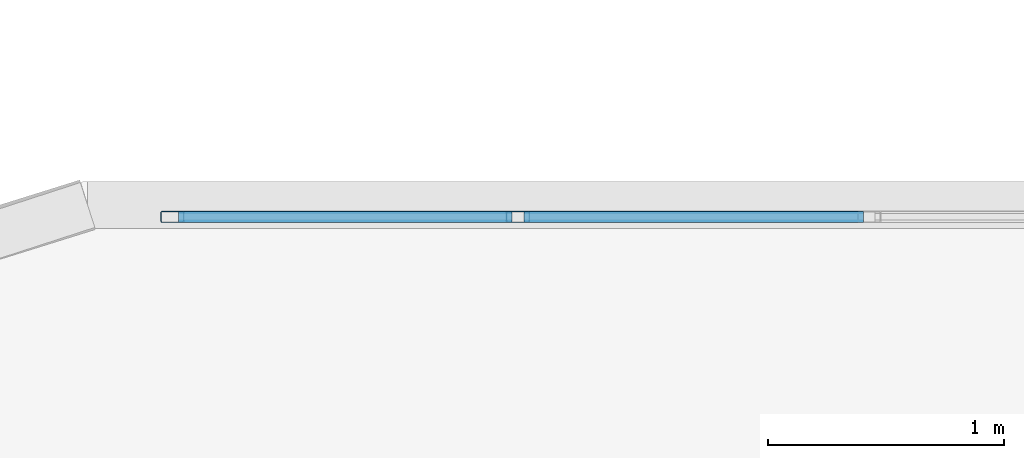
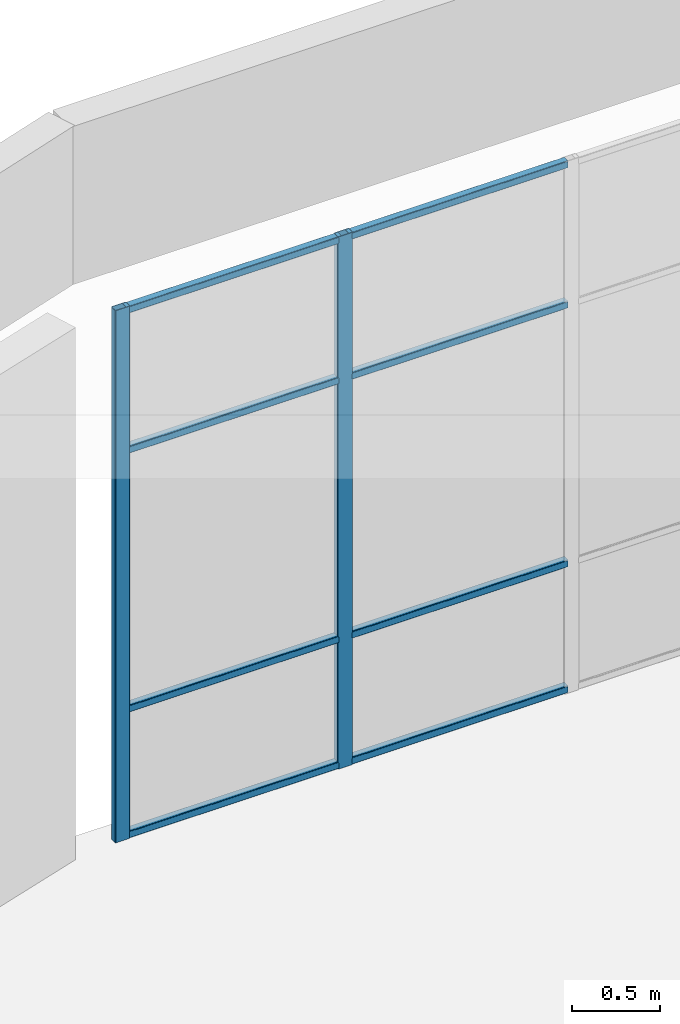
# One storey, part 8 of 72: 10 members, 1 element without a shape of its own.
"""IFC4 building model written with IfcOpenShell, lengths in metres."""

from ifc_helpers import new_model, si_unit, direction, frame, origin, origin_2d, place, context, subcontext, project, spatial, hollow_rectangle, extrude, material, layer, layer_set, material_profile, profile_set, type_object, element, aggregate, save


model = new_model("IFC4")

# Units and contexts
model_context = context("Model", 3, precision=1e-05, world=origin(), true_north=direction((0.0, 1.0)))
body_context = subcontext(model_context, "Body", "Model", "MODEL_VIEW")
ifc_project = project(units=[si_unit("LENGTHUNIT", "METRE"), si_unit("AREAUNIT", "SQUARE_METRE"), si_unit("VOLUMEUNIT", "CUBIC_METRE"), si_unit("PLANEANGLEUNIT", "RADIAN"), si_unit("MASSUNIT", "GRAM", prefix="KILO")], contexts=[model_context])

# Site, building, storey
site_placement = place(None, origin())
site = spatial("IfcSite", under=ifc_project, at=site_placement, CompositionType="ELEMENT")
building_placement = place(site_placement, origin())
building = spatial("IfcBuilding", under=site, at=building_placement, Name="Tuart Plaza Theatre", CompositionType="ELEMENT")
storey_placement = place(building_placement, frame((0.0, 0.0, 13.5)))
storey = spatial("IfcBuildingStorey", under=building, at=storey_placement, Name="L03", CompositionType="ELEMENT", Elevation=13.5)

# Curtain wall, members
ifc_material_1 = material(Name="Aluminium and glass", Category="aluminium")
ifc_layer = layer(ifc_material_1, 0.10009765625)
ifc_layer_set = layer_set([ifc_layer], Name="CURTAIN WALL 1500 module")
curtain_wall_type = type_object("IfcCurtainWallType", Name="CURTAIN WALL 1500 module", PredefinedType="NOTDEFINED", material=ifc_layer_set)
curtain_wall_placement = place(storey_placement, origin())
curtain_wall = element("IfcCurtainWall", 1, at=curtain_wall_placement, inside=storey, type_object=curtain_wall_type, Name="CW44", PredefinedType="NOTDEFINED")
ifc_material_2 = material(Name="Aluminium 6063-T5", Category="aluminium")
ifc_material_profile_1 = material_profile(ifc_material_2, hollow_rectangle(XDim=0.050048828125, YDim=0.10009765625, WallThickness=0.00390625, InnerFilletRadius=0.00390625, OuterFilletRadius=0.008056640625, at=origin_2d()), Name="RHS 100x50x4")
ifc_profile_set_1 = profile_set([ifc_material_profile_1], Name="Aluminium 6063-T5")
member_type_1 = type_object("IfcMemberType", Name="MULLION RHS 100x50x4", PredefinedType="MULLION", material=ifc_profile_set_1)
member_1_placement = place(storey_placement, frame((78.618896484375, 79.8369140625, 0.0), z_axis=(0.0, 0.0, 1.0), x_axis=(0.0, 1.0, 0.0)))
member_1 = element("IfcMember", 2, at=member_1_placement, type_object=member_type_1, Name="CW44 mullion 1", PredefinedType="MULLION", context=body_context, shape_type="SweptSolid", body=[
    extrude(hollow_rectangle(XDim=0.050048828125, YDim=0.10009765625, WallThickness=0.00390625, InnerFilletRadius=0.00390625, OuterFilletRadius=0.008056640625, at=origin_2d()), origin(), (0.0, 0.0, 1.0), 3.699951171875),
])
member_2_placement = place(storey_placement, frame((80.08349609375, 79.8369140625, 0.0), z_axis=(0.0, 0.0, 1.0), x_axis=(0.0, 1.0, 0.0)))
member_2 = element("IfcMember", 3, at=member_2_placement, type_object=member_type_1, Name="CW44 mullion 2", PredefinedType="MULLION", context=body_context, shape_type="SweptSolid", body=[
    extrude(hollow_rectangle(XDim=0.050048828125, YDim=0.10009765625, WallThickness=0.00390625, InnerFilletRadius=0.00390625, OuterFilletRadius=0.008056640625, at=origin_2d()), origin(), (0.0, 0.0, 1.0), 3.699951171875),
])
ifc_material_3 = material(Name="Aluminium 6063-T5", Category="aluminium")
ifc_material_profile_2 = material_profile(ifc_material_3, hollow_rectangle(XDim=0.050048828125, YDim=0.050048828125, WallThickness=0.00390625, InnerFilletRadius=0.00390625, OuterFilletRadius=0.008056640625, at=origin_2d()), Name="RHS 50x50x4")
ifc_profile_set_2 = profile_set([ifc_material_profile_2], Name="Aluminium 6063-T5")
member_type_2 = type_object("IfcMemberType", Name="TRANSOM RHS 50x50x4", PredefinedType="USERDEFINED", material=ifc_profile_set_2)
member_3_placement = place(storey_placement, frame((78.64404296875, 79.8369140625, 0.02490234375), z_axis=(1.0, 0.0, 0.0), x_axis=(0.0, 1.0, 0.0)))
member_3 = element("IfcMember", 4, at=member_3_placement, type_object=member_type_2, Name="CW44 transom 1.1", ObjectType="TRANSOM", PredefinedType="USERDEFINED", context=body_context, shape_type="SweptSolid", body=[
    extrude(hollow_rectangle(XDim=0.050048828125, YDim=0.050048828125, WallThickness=0.00390625, InnerFilletRadius=0.00390625, OuterFilletRadius=0.008056640625, at=origin_2d()), origin(), (0.0, 0.0, 1.0), 1.41455078125),
])
member_4_placement = place(storey_placement, frame((78.64404296875, 79.8369140625, 0.89990234375), z_axis=(1.0, 0.0, 0.0), x_axis=(0.0, 1.0, 0.0)))
member_4 = element("IfcMember", 5, at=member_4_placement, type_object=member_type_2, Name="CW44 transom 1.2", ObjectType="TRANSOM", PredefinedType="USERDEFINED", context=body_context, shape_type="SweptSolid", body=[
    extrude(hollow_rectangle(XDim=0.050048828125, YDim=0.050048828125, WallThickness=0.00390625, InnerFilletRadius=0.00390625, OuterFilletRadius=0.008056640625, at=origin_2d()), origin(), (0.0, 0.0, 1.0), 1.41455078125),
])
member_5_placement = place(storey_placement, frame((78.64404296875, 79.8369140625, 2.699951171875), z_axis=(1.0, 0.0, 0.0), x_axis=(0.0, 1.0, 0.0)))
member_5 = element("IfcMember", 6, at=member_5_placement, type_object=member_type_2, Name="CW44 transom 1.3", ObjectType="TRANSOM", PredefinedType="USERDEFINED", context=body_context, shape_type="SweptSolid", body=[
    extrude(hollow_rectangle(XDim=0.050048828125, YDim=0.050048828125, WallThickness=0.00390625, InnerFilletRadius=0.00390625, OuterFilletRadius=0.008056640625, at=origin_2d()), origin(), (0.0, 0.0, 1.0), 1.41455078125),
])
member_6_placement = place(storey_placement, frame((78.64404296875, 79.8369140625, 3.675048828125), z_axis=(1.0, 0.0, 0.0), x_axis=(0.0, 1.0, 0.0)))
member_6 = element("IfcMember", 7, at=member_6_placement, type_object=member_type_2, Name="CW44 transom 1.4", ObjectType="TRANSOM", PredefinedType="USERDEFINED", context=body_context, shape_type="SweptSolid", body=[
    extrude(hollow_rectangle(XDim=0.050048828125, YDim=0.050048828125, WallThickness=0.00390625, InnerFilletRadius=0.00390625, OuterFilletRadius=0.008056640625, at=origin_2d()), origin(), (0.0, 0.0, 1.0), 1.41455078125),
])
member_7_placement = place(storey_placement, frame((80.108642578125, 79.8369140625, 0.02490234375), z_axis=(1.0, 0.0, 0.0), x_axis=(0.0, 1.0, 0.0)))
member_7 = element("IfcMember", 8, at=member_7_placement, type_object=member_type_2, Name="CW44 transom 2.1", ObjectType="TRANSOM", PredefinedType="USERDEFINED", context=body_context, shape_type="SweptSolid", body=[
    extrude(hollow_rectangle(XDim=0.050048828125, YDim=0.050048828125, WallThickness=0.00390625, InnerFilletRadius=0.00390625, OuterFilletRadius=0.008056640625, at=origin_2d()), origin(), (0.0, 0.0, 1.0), 1.439453125),
])
member_8_placement = place(storey_placement, frame((80.108642578125, 79.8369140625, 0.89990234375), z_axis=(1.0, 0.0, 0.0), x_axis=(0.0, 1.0, 0.0)))
member_8 = element("IfcMember", 9, at=member_8_placement, type_object=member_type_2, Name="CW44 transom 2.2", ObjectType="TRANSOM", PredefinedType="USERDEFINED", context=body_context, shape_type="SweptSolid", body=[
    extrude(hollow_rectangle(XDim=0.050048828125, YDim=0.050048828125, WallThickness=0.00390625, InnerFilletRadius=0.00390625, OuterFilletRadius=0.008056640625, at=origin_2d()), origin(), (0.0, 0.0, 1.0), 1.439453125),
])
member_9_placement = place(storey_placement, frame((80.108642578125, 79.8369140625, 2.699951171875), z_axis=(1.0, 0.0, 0.0), x_axis=(0.0, 1.0, 0.0)))
member_9 = element("IfcMember", 10, at=member_9_placement, type_object=member_type_2, Name="CW44 transom 2.3", ObjectType="TRANSOM", PredefinedType="USERDEFINED", context=body_context, shape_type="SweptSolid", body=[
    extrude(hollow_rectangle(XDim=0.050048828125, YDim=0.050048828125, WallThickness=0.00390625, InnerFilletRadius=0.00390625, OuterFilletRadius=0.008056640625, at=origin_2d()), origin(), (0.0, 0.0, 1.0), 1.439453125),
])
member_10_placement = place(storey_placement, frame((80.108642578125, 79.8369140625, 3.675048828125), z_axis=(1.0, 0.0, 0.0), x_axis=(0.0, 1.0, 0.0)))
member_10 = element("IfcMember", 11, at=member_10_placement, type_object=member_type_2, Name="CW44 transom 2.4", ObjectType="TRANSOM", PredefinedType="USERDEFINED", context=body_context, shape_type="SweptSolid", body=[
    extrude(hollow_rectangle(XDim=0.050048828125, YDim=0.050048828125, WallThickness=0.00390625, InnerFilletRadius=0.00390625, OuterFilletRadius=0.008056640625, at=origin_2d()), origin(), (0.0, 0.0, 1.0), 1.439453125),
])
aggregate(curtain_wall, [member_1, member_2, member_3, member_4, member_5, member_6, member_7, member_8, member_9, member_10])

save(model, "model.ifc")
